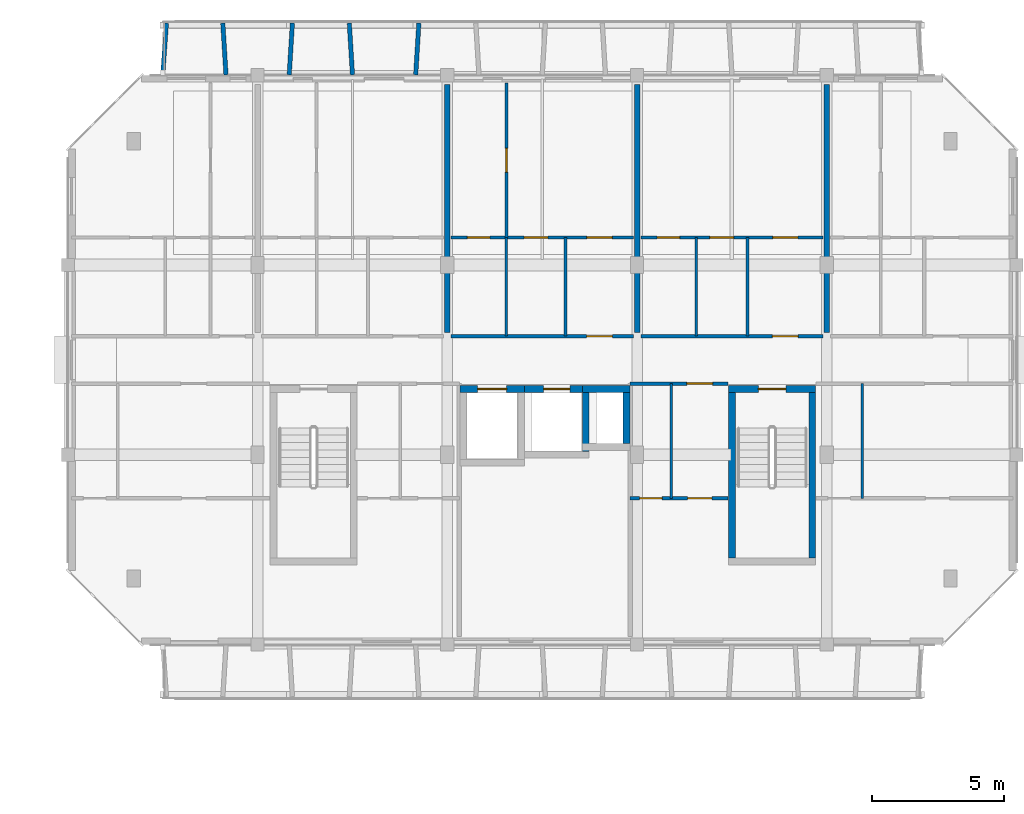
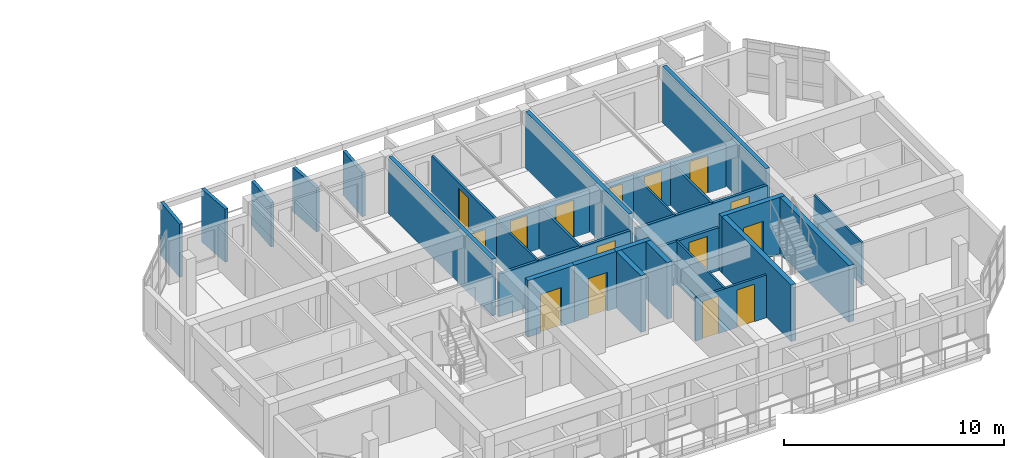
# One storey, part 29 of 46: 29 walls, 15 doors, 15 openings.
"""IFC4 building model written with IfcOpenShell, lengths in metres."""

import ifcopenshell
import ifcopenshell.guid

model = None  # the IFC model being written
_history = None  # IfcOwnerHistory: only IFC2X3 demands one
_inside = {}  # id of a spatial element -> (the spatial element, [elements in it])
_under = {}  # id of a project, library or spatial element -> (it, [spatial elements below it])
_declared = {}  # id of a project -> (the project, [libraries it declares])
_typed = {}  # id of a type object -> (the type object, [elements of that type])
_made_of = {}  # id of a material, layer set ... -> (it, [elements and type objects made of it])


def new_model(schema):
    """Start an empty IFC model of exactly this schema.

    Asked for "IFC4X3", IfcOpenShell would pick the latest addendum, in which some entities
    have other attributes; the version numbers below select the first issue.
    IFC2X3 requires an IfcOwnerHistory on every rooted entity: one is made here for all.
    """
    global model, _history
    if schema == "IFC4X3":
        model = ifcopenshell.file(schema_version=(4, 3, 0, 0))
    else:
        model = ifcopenshell.file(schema=schema)
    _inside.clear()
    _under.clear()
    _declared.clear()
    _typed.clear()
    _made_of.clear()
    _history = None
    if model.schema == "IFC2X3":
        org = make("IfcOrganization", Name="unknown")
        user = make(
            "IfcPersonAndOrganization",
            ThePerson=make("IfcPerson", FamilyName="unknown"),
            TheOrganization=org,
        )
        app = make(
            "IfcApplication",
            ApplicationDeveloper=org,
            Version="unknown",
            ApplicationFullName="unknown",
            ApplicationIdentifier="unknown",
        )
        _history = make(
            "IfcOwnerHistory",
            OwningUser=user,
            OwningApplication=app,
            ChangeAction="ADDED",
            CreationDate=0,
        )
    return model


def make(cls, **values):
    """One entity of the class cls with the attributes given. An attribute that is None is left unset."""
    return model.create_entity(
        cls, **{name: value for name, value in values.items() if value is not None}
    )


def rooted(cls, **values):
    """An entity with a GlobalId (a new one), such as an element, a storey or a relation."""
    return make(cls, GlobalId=ifcopenshell.guid.new(), OwnerHistory=_history, **values)


def si_unit(unit_type, name, prefix=None):
    """IfcSIUnit, for example si_unit("LENGTHUNIT", "METRE", prefix="MILLI")."""
    return make("IfcSIUnit", UnitType=unit_type, Prefix=prefix, Name=name)


def assignment(units):
    """IfcUnitAssignment: the units of a project."""
    return None if units is None else make("IfcUnitAssignment", Units=units)


def point(xyz):
    """IfcCartesianPoint."""
    return None if xyz is None else make("IfcCartesianPoint", Coordinates=xyz)


def direction(xyz):
    """IfcDirection."""
    return None if xyz is None else make("IfcDirection", DirectionRatios=xyz)


def frame(location, z_axis=None, x_axis=None):
    """IfcAxis2Placement3D, a coordinate frame: its origin and axes. An axis left out is left unset."""
    return make(
        "IfcAxis2Placement3D",
        Location=point(location),
        Axis=direction(z_axis),
        RefDirection=direction(x_axis),
    )


def frame_2d(location, x_axis=None):
    """IfcAxis2Placement2D, a coordinate frame in the plane: its origin and x axis."""
    return make(
        "IfcAxis2Placement2D", Location=point(location), RefDirection=direction(x_axis)
    )


def origin():
    """The frame at (0, 0, 0) with its axes left unset."""
    return frame((0.0, 0.0, 0.0))


def place(relative_to, where):
    """IfcLocalPlacement: puts the frame where relative to a parent placement (None: the world)."""
    return make(
        "IfcLocalPlacement", PlacementRelTo=relative_to, RelativePlacement=where
    )


def context(
    kind, dimensions, precision=None, world=None, true_north=None, identifier=None
):
    """IfcGeometricRepresentationContext, for example the 3D "Model" context."""
    return make(
        "IfcGeometricRepresentationContext",
        ContextIdentifier=identifier,
        ContextType=kind,
        CoordinateSpaceDimension=dimensions,
        Precision=precision,
        WorldCoordinateSystem=world,
        TrueNorth=true_north,
    )


def subcontext(parent, identifier, kind, view, scale=None):
    """IfcGeometricRepresentationSubContext, for example "Body" below "Model"."""
    return make(
        "IfcGeometricRepresentationSubContext",
        ContextIdentifier=identifier,
        ContextType=kind,
        ParentContext=parent,
        TargetScale=scale,
        TargetView=view,
    )


def project(units=None, contexts=None):
    """IfcProject with its units and contexts."""
    return rooted(
        "IfcProject",
        Name="project",
        RepresentationContexts=contexts,
        UnitsInContext=assignment(units),
    )


def spatial(cls, under=None, at=None, **own):
    """A site, building, storey or space (cls), placed at a placement, below another one or the project."""
    s = rooted(cls, ObjectPlacement=at, **own)
    if under is not None:
        _under.setdefault(under.id(), (under, []))[1].append(s)
    return s


def profile(cls, at=None, kind="AREA", **sizes):
    """A parametric profile (cls). Its sizes go by their IFC names, for example OverallWidth=200.0."""
    return make(cls, ProfileType=kind, Position=at, **sizes)


def rectangle(**sizes):
    """IfcRectangleProfileDef."""
    return profile("IfcRectangleProfileDef", **sizes)


def extrude(swept, where, along, depth):
    """IfcExtrudedAreaSolid: the profile swept, set in the frame where, extruded along a direction by depth."""
    return make(
        "IfcExtrudedAreaSolid",
        SweptArea=swept,
        Position=where,
        ExtrudedDirection=direction(along),
        Depth=depth,
    )


def shape(context_of_items, identifier, shape_type, items):
    """IfcShapeRepresentation: the items that make up one representation, for example the "Body"."""
    return make(
        "IfcShapeRepresentation",
        ContextOfItems=context_of_items,
        RepresentationIdentifier=identifier,
        RepresentationType=shape_type,
        Items=items,
    )


def material(Name=None, Category=None):
    """IfcMaterial."""
    return make("IfcMaterial", Name=Name, Category=Category)


def layer(
    of_material, thickness, ventilated=None, Name=None, Category=None, Priority=None
):
    """IfcMaterialLayer: one layer of a wall or slab, of a material (None: an air gap)."""
    return make(
        "IfcMaterialLayer",
        Material=of_material,
        LayerThickness=thickness,
        IsVentilated=ventilated,
        Name=Name,
        Category=Category,
        Priority=Priority,
    )


def layer_set(layers, Name=None):
    """IfcMaterialLayerSet."""
    return make("IfcMaterialLayerSet", MaterialLayers=layers, LayerSetName=Name)


def made_of(thing, what):
    """Note that an element or type object is made of a material, layer set ...; save() writes the relation."""
    if what is not None:
        _made_of.setdefault(what.id(), (what, []))[1].append(thing)
    return thing


def type_object(cls, material=None, **own):
    """A type object (cls), such as IfcWallType, which elements share."""
    return made_of(rooted(cls, **own), material)


def element(
    cls,
    number,
    at=None,
    inside=None,
    cuts=None,
    type_object=None,
    material=None,
    context=None,
    identifier="Body",
    shape_type=None,
    held_by="IfcProductDefinitionShape",
    body=None,
    shapes=None,
    **own,
):
    """One element of the class cls, such as IfcWall. Its Tag is "e" and its number.

    at: its placement. inside: the storey or other place that contains it. cuts: it is an
    opening in that element (IfcRelVoidsElement). A single representation is given by context,
    identifier, shape_type and body (its items); several are given by shapes. held_by: the class
    of the entity that holds the representations. save() writes the other relations.
    """
    e = rooted(cls, Tag="e%d" % number, ObjectPlacement=at, **own)
    if body is not None:
        shapes = [shape(context, identifier, shape_type, body)]
    if shapes is not None:
        e.Representation = make(held_by, Representations=shapes)
    if inside is not None:
        _inside.setdefault(inside.id(), (inside, []))[1].append(e)
    if cuts is not None:
        rooted(
            "IfcRelVoidsElement", RelatingBuildingElement=cuts, RelatedOpeningElement=e
        )
    if type_object is not None:
        _typed.setdefault(type_object.id(), (type_object, []))[1].append(e)
    return made_of(e, material)


def fill(opening, filler):
    """IfcRelFillsElement: the door or window that sits in an opening."""
    return rooted(
        "IfcRelFillsElement",
        RelatingOpeningElement=opening,
        RelatedBuildingElement=filler,
    )


def aggregate(whole, parts):
    """IfcRelAggregates: a whole, such as a stair, and the parts it consists of."""
    return rooted("IfcRelAggregates", RelatingObject=whole, RelatedObjects=parts)


def save(model, path):
    """Write the relations noted so far, then the file.

    IfcRelAggregates (storeys below a building ...), IfcRelContainedInSpatialStructure (elements
    in a storey), IfcRelDefinesByType, IfcRelAssociatesMaterial and IfcRelDeclares: one each for
    every whole, place, type object, material and project.
    """
    for whole, parts in _under.values():
        aggregate(whole, parts)
    for where, things in _inside.values():
        rooted(
            "IfcRelContainedInSpatialStructure",
            RelatedElements=things,
            RelatingStructure=where,
        )
    for kind, things in _typed.values():
        rooted("IfcRelDefinesByType", RelatedObjects=things, RelatingType=kind)
    for what, things in _made_of.values():
        rooted("IfcRelAssociatesMaterial", RelatedObjects=things, RelatingMaterial=what)
    for by, libraries in _declared.values():
        rooted("IfcRelDeclares", RelatingContext=by, RelatedDefinitions=libraries)
    model.write(path)


model = new_model("IFC4")

# Units and contexts
model_context = context("Model", 3, precision=1e-05, world=origin(), true_north=direction((0.0, 1.0)))
body_context = subcontext(model_context, "Body", "Model", "MODEL_VIEW")
ifc_project = project(units=[si_unit("LENGTHUNIT", "METRE"), si_unit("AREAUNIT", "SQUARE_METRE"), si_unit("VOLUMEUNIT", "CUBIC_METRE"), si_unit("PLANEANGLEUNIT", "RADIAN"), si_unit("MASSUNIT", "GRAM", prefix="KILO")], contexts=[model_context])

# Site, building, storey
site_placement = place(None, origin())
site = spatial("IfcSite", under=ifc_project, at=site_placement, CompositionType="ELEMENT")
building_placement = place(site_placement, origin())
building = spatial("IfcBuilding", under=site, at=building_placement, Name="Ochrevale Crest", CompositionType="ELEMENT")
storey_placement = place(building_placement, frame((0.0, 0.0, 24.449951171875)))
storey = spatial("IfcBuildingStorey", under=building, at=storey_placement, Name="L07", CompositionType="ELEMENT", Elevation=24.449951171875)

# Wall, opening, door
ifc_material_1 = material(Name="Gypsum plasterboard", Category="gypsum")
ifc_layer_1 = layer(ifc_material_1, 0.139892578125)
ifc_layer_set_1 = layer_set([ifc_layer_1], Name="Gypsum plasterboard")
wall_type_1 = type_object("IfcWallType", Name="WL-COR-140", PredefinedType="PARTITIONING", material=ifc_layer_set_1)
wall_1_placement = place(storey_placement, frame((144.139892578125, 83.699951171875, 0.0), z_axis=(0.0, 0.0, 1.0), x_axis=(1.0, 0.0, 0.0)))
wall_1 = element("IfcWall", 1, at=wall_1_placement, inside=storey, type_object=wall_type_1, Name="Apartment D-L07-U3 corridor wall", PredefinedType="PARTITIONING", context=body_context, shape_type="SweptSolid", body=[
    extrude(rectangle(XDim=6.920166015625, YDim=0.139892578125, at=frame_2d((3.4599609375, 0.0))), origin(), (0.0, 0.0, 1.0), 2.380126953125),
])
opening_1_placement = place(wall_1_placement, frame((6.125, 0.0, 0.0), z_axis=(0.0, 0.0, 1.0), x_axis=(-1.0, 0.0, 0.0)))
opening_1 = element("IfcOpeningElement", 2, at=opening_1_placement, cuts=wall_1, Name="Opening FD01", PredefinedType="OPENING", context=body_context, shape_type="SweptSolid", body=[
    extrude(rectangle(XDim=0.97998046875, YDim=2.10009765625, at=frame_2d((0.489990234375, 1.050048828125))), frame((0.0, 0.080078125, 0.0), z_axis=(0.0, -1.0, 0.0), x_axis=(1.0, 0.0, 0.0)), (0.0, 0.0, 1.0), 0.159912109375),
])
ifc_material_2 = material(Name="Solid-core FSC hardwood", Category="wood")
door_type_1 = type_object("IfcDoorType", Name="DR-APT-950", OperationType="NOTDEFINED", PredefinedType="DOOR", material=ifc_material_2)
door_1_placement = place(opening_1_placement, origin())
door_1 = element("IfcDoor", 3, at=door_1_placement, inside=storey, type_object=door_type_1, Name="Apartment D-L07-U3 entrance door", OperationType="SINGLE_SWING_RIGHT", OverallHeight=2.10009765625, OverallWidth=0.97998046875, PredefinedType="DOOR", context=body_context, shape_type="SweptSolid", body=[
    extrude(rectangle(XDim=0.97998046875, YDim=2.10009765625, at=frame_2d((0.489990234375, 1.050048828125))), frame((0.0, 0.02490234375, 0.0), z_axis=(0.0, -1.0, 0.0), x_axis=(1.0, 0.0, 0.0)), (0.0, 0.0, 1.0), 0.050048828125),
])
fill(opening_1, door_1)

wall_2_placement = place(storey_placement, frame((151.340087890625, 83.699951171875, 0.0), z_axis=(0.0, 0.0, 1.0), x_axis=(1.0, 0.0, 0.0)))
wall_2 = element("IfcWall", 4, at=wall_2_placement, inside=storey, type_object=wall_type_1, Name="Apartment D-L07-U4 corridor wall", PredefinedType="PARTITIONING", context=body_context, shape_type="SweptSolid", body=[
    extrude(rectangle(XDim=6.919921875, YDim=0.139892578125, at=frame_2d((3.4599609375, 0.0))), origin(), (0.0, 0.0, 1.0), 2.380126953125),
])
opening_2_placement = place(wall_2_placement, frame((4.9951171875, 0.0, 0.0)))
opening_2 = element("IfcOpeningElement", 5, at=opening_2_placement, cuts=wall_2, Name="Opening FD01", PredefinedType="OPENING", context=body_context, shape_type="SweptSolid", body=[
    extrude(rectangle(XDim=0.97998046875, YDim=2.10009765625, at=frame_2d((0.489990234375, 1.050048828125))), frame((0.0, 0.080078125, 0.0), z_axis=(0.0, -1.0, 0.0), x_axis=(1.0, 0.0, 0.0)), (0.0, 0.0, 1.0), 0.159912109375),
])
door_2_placement = place(opening_2_placement, origin())
door_2 = element("IfcDoor", 6, at=door_2_placement, inside=storey, type_object=door_type_1, Name="Apartment D-L07-U4 entrance door", OperationType="SINGLE_SWING_LEFT", OverallHeight=2.10009765625, OverallWidth=0.97998046875, PredefinedType="DOOR", context=body_context, shape_type="SweptSolid", body=[
    extrude(rectangle(XDim=0.97998046875, YDim=2.10009765625, at=frame_2d((0.489990234375, 1.050048828125))), frame((0.0, 0.02490234375, 0.0), z_axis=(0.0, -1.0, 0.0), x_axis=(1.0, 0.0, 0.0)), (0.0, 0.0, 1.0), 0.050048828125),
])
fill(opening_2, door_2)

wall_3_placement = place(storey_placement, frame((150.93994140625, 81.89990234375, 0.0), z_axis=(0.0, 0.0, 1.0), x_axis=(1.0, 0.0, 0.0)))
wall_3 = element("IfcWall", 7, at=wall_3_placement, inside=storey, type_object=wall_type_1, Name="Suite D-L07-ME corridor wall", PredefinedType="PARTITIONING", context=body_context, shape_type="SweptSolid", body=[
    extrude(rectangle(XDim=3.719970703125, YDim=0.139892578125, at=frame_2d((1.85986328125, 0.0))), origin(), (0.0, 0.0, 1.0), 2.380126953125),
])
opening_3_placement = place(wall_3_placement, frame((3.131103515625, 0.0, 0.0), z_axis=(0.0, 0.0, 1.0), x_axis=(-1.0, 0.0, 0.0)))
opening_3 = element("IfcOpeningElement", 8, at=opening_3_placement, cuts=wall_3, Name="Opening FD01", PredefinedType="OPENING", context=body_context, shape_type="SweptSolid", body=[
    extrude(rectangle(XDim=0.97998046875, YDim=2.10009765625, at=frame_2d((0.489990234375, 1.050048828125))), frame((0.0, 0.080078125, 0.0), z_axis=(0.0, -1.0, 0.0), x_axis=(1.0, 0.0, 0.0)), (0.0, 0.0, 1.0), 0.159912109375),
])
door_3_placement = place(opening_3_placement, origin())
door_3 = element("IfcDoor", 9, at=door_3_placement, inside=storey, type_object=door_type_1, Name="Suite D-L07-ME entrance door", OperationType="SINGLE_SWING_RIGHT", OverallHeight=2.10009765625, OverallWidth=0.97998046875, PredefinedType="DOOR", context=body_context, shape_type="SweptSolid", body=[
    extrude(rectangle(XDim=0.97998046875, YDim=2.10009765625, at=frame_2d((0.489990234375, 1.050048828125))), frame((0.0, 0.02490234375, 0.0), z_axis=(0.0, -1.0, 0.0), x_axis=(1.0, 0.0, 0.0)), (0.0, 0.0, 1.0), 0.050048828125),
])
fill(opening_3, door_3)

ifc_material_3 = material(Name="Precast concrete C50/60", Category="concrete")
ifc_layer_2 = layer(ifc_material_3, 0.2548828125)
ifc_layer_set_2 = layer_set([ifc_layer_2], Name="Precast concrete C50/60")
wall_type_2 = type_object("IfcWallType", Name="WL-CORE-255", PredefinedType="SHEAR", material=ifc_layer_set_2)
wall_4_placement = place(storey_placement, frame((154.672607421875, 81.699951171875, 0.0), z_axis=(0.0, 0.0, 1.0), x_axis=(1.0, 0.0, 0.0)))
wall_4 = element("IfcWall", 10, at=wall_4_placement, inside=storey, type_object=wall_type_2, Name="Block D L07 Stair 2 precast core shear wall N", PredefinedType="SHEAR", context=body_context, shape_type="SweptSolid", body=[
    extrude(rectangle(XDim=3.304931640625, YDim=0.2548828125, at=frame_2d((1.65234375, 0.0))), origin(), (0.0, 0.0, 1.0), 3.150146484375),
])
opening_4_placement = place(wall_4_placement, frame((1.12744140625, 0.0, 0.0)))
opening_4 = element("IfcOpeningElement", 11, at=opening_4_placement, cuts=wall_4, Name="Opening FD03", PredefinedType="OPENING", context=body_context, shape_type="SweptSolid", body=[
    extrude(rectangle(XDim=1.050048828125, YDim=2.1201171875, at=frame_2d((0.52490234375, 1.06005859375))), frame((0.0, 0.137451171875, 0.0), z_axis=(0.0, -1.0, 0.0), x_axis=(1.0, 0.0, 0.0)), (0.0, 0.0, 1.0), 0.27490234375),
])
door_type_2 = type_object("IfcDoorType", Name="DR-ST-1050", OperationType="NOTDEFINED", PredefinedType="DOOR", material=ifc_material_2)
door_4_placement = place(opening_4_placement, origin())
door_4 = element("IfcDoor", 12, at=door_4_placement, inside=storey, type_object=door_type_2, Name="Block D L07 fire stair 2 door", OperationType="SINGLE_SWING_LEFT", OverallHeight=2.1201171875, OverallWidth=1.050048828125, PredefinedType="DOOR", context=body_context, shape_type="SweptSolid", body=[
    extrude(rectangle(XDim=1.050048828125, YDim=2.1201171875, at=frame_2d((0.52490234375, 1.06005859375))), frame((0.0, 0.02490234375, 0.0), z_axis=(0.0, -1.0, 0.0), x_axis=(1.0, 0.0, 0.0)), (0.0, 0.0, 1.0), 0.050048828125),
])
fill(opening_4, door_4)

# Walls
for number, where, z_axis, x_axis, name in (
    (13, (154.800048828125, 75.277587890625, 0.0), (0.0, 0.0, 1.0), (0.0, 1.0, 0.0), "Block D L07 Stair 2 precast core shear wall W"),
    (14, (157.85009765625, 75.277587890625, 0.0), (0.0, 0.0, 1.0), (0.0, 1.0, 0.0), "Block D L07 Stair 2 precast core shear wall E"),
):
    element("IfcWall", number, at=place(storey_placement, frame(where, z_axis=z_axis, x_axis=x_axis)), inside=storey, type_object=wall_type_2, Name=name, PredefinedType="SHEAR", context=body_context, shape_type="SweptSolid", body=[
        extrude(rectangle(XDim=6.294921875, YDim=0.2548828125, at=frame_2d((3.1474609375, 0.0))), origin(), (0.0, 0.0, 1.0), 3.150146484375),
    ])

# Wall, opening, door
wall_5_placement = place(storey_placement, frame((144.472412109375, 81.699951171875, 0.0), z_axis=(0.0, 0.0, 1.0), x_axis=(1.0, 0.0, 0.0)))
wall_5 = element("IfcWall", 15, at=wall_5_placement, inside=storey, type_object=wall_type_2, Name="Block D L07 Lift 1 precast shaft shear wall N", PredefinedType="SHEAR", context=body_context, shape_type="SweptSolid", body=[
    extrude(rectangle(XDim=2.455078125, YDim=0.2548828125, at=frame_2d((1.2275390625, 0.0))), origin(), (0.0, 0.0, 1.0), 3.150146484375),
])
opening_5_placement = place(wall_5_placement, frame((0.677490234375, 0.0, 0.0)))
opening_5 = element("IfcOpeningElement", 16, at=opening_5_placement, cuts=wall_5, Name="Opening LD01", PredefinedType="OPENING", context=body_context, shape_type="SweptSolid", body=[
    extrude(rectangle(XDim=1.10009765625, YDim=2.14990234375, at=frame_2d((0.550048828125, 1.074951171875))), frame((0.0, 0.137451171875, 0.0), z_axis=(0.0, -1.0, 0.0), x_axis=(1.0, 0.0, 0.0)), (0.0, 0.0, 1.0), 0.27490234375),
])
door_type_3 = type_object("IfcDoorType", Name="DR-LIFT-1100", OperationType="NOTDEFINED", PredefinedType="DOOR", material=ifc_material_2)
door_5_placement = place(opening_5_placement, origin())
door_5 = element("IfcDoor", 17, at=door_5_placement, inside=storey, type_object=door_type_3, Name="Lift LF-D1 L07 sliding landing door", OperationType="SLIDING_TO_LEFT", OverallHeight=2.14990234375, OverallWidth=1.10009765625, PredefinedType="DOOR", context=body_context, shape_type="SweptSolid", body=[
    extrude(rectangle(XDim=1.10009765625, YDim=2.14990234375, at=frame_2d((0.550048828125, 1.074951171875))), frame((0.0, 0.02490234375, 0.0), z_axis=(0.0, -1.0, 0.0), x_axis=(1.0, 0.0, 0.0)), (0.0, 0.0, 1.0), 0.050048828125),
])
fill(opening_5, door_5)

wall_6_placement = place(storey_placement, frame((146.922607421875, 81.699951171875, 0.0), z_axis=(0.0, 0.0, 1.0), x_axis=(1.0, 0.0, 0.0)))
wall_6 = element("IfcWall", 18, at=wall_6_placement, inside=storey, type_object=wall_type_2, Name="Block D L07 Lift 2 precast shaft shear wall N", PredefinedType="SHEAR", context=body_context, shape_type="SweptSolid", body=[
    extrude(rectangle(XDim=2.454833984375, YDim=0.2548828125, at=frame_2d((1.2275390625, 0.0))), origin(), (0.0, 0.0, 1.0), 3.150146484375),
])
opening_6_placement = place(wall_6_placement, frame((0.7275390625, 0.0, 0.0)))
opening_6 = element("IfcOpeningElement", 19, at=opening_6_placement, cuts=wall_6, Name="Opening LD02", PredefinedType="OPENING", context=body_context, shape_type="SweptSolid", body=[
    extrude(rectangle(XDim=1.0, YDim=2.14990234375, at=frame_2d((0.5, 1.074951171875))), frame((0.0, 0.137451171875, 0.0), z_axis=(0.0, -1.0, 0.0), x_axis=(1.0, 0.0, 0.0)), (0.0, 0.0, 1.0), 0.27490234375),
])
door_type_4 = type_object("IfcDoorType", Name="DR-LIFT-1000", OperationType="NOTDEFINED", PredefinedType="DOOR", material=ifc_material_2)
door_6_placement = place(opening_6_placement, origin())
door_6 = element("IfcDoor", 20, at=door_6_placement, inside=storey, type_object=door_type_4, Name="Lift LP-D2 L07 sliding landing door", OperationType="SLIDING_TO_RIGHT", OverallHeight=2.14990234375, OverallWidth=1.0, PredefinedType="DOOR", context=body_context, shape_type="SweptSolid", body=[
    extrude(rectangle(XDim=1.0, YDim=2.14990234375, at=frame_2d((0.5, 1.074951171875))), frame((0.0, 0.02490234375, 0.0), z_axis=(0.0, -1.0, 0.0), x_axis=(1.0, 0.0, 0.0)), (0.0, 0.0, 1.0), 0.050048828125),
])
fill(opening_6, door_6)

# Walls
wall_7_placement = place(storey_placement, frame((149.25, 79.327392578125, 0.0), z_axis=(0.0, 0.0, 1.0), x_axis=(0.0, 1.0, 0.0)))
element("IfcWall", 21, at=wall_7_placement, inside=storey, type_object=wall_type_2, Name="Block D L07 Lift 2 precast shaft shear wall E", PredefinedType="SHEAR", context=body_context, shape_type="SweptSolid", body=[
    extrude(rectangle(XDim=2.2451171875, YDim=0.2548828125, at=frame_2d((1.12255859375, 0.0))), origin(), (0.0, 0.0, 1.0), 3.150146484375),
])
wall_8_placement = place(storey_placement, frame((149.12255859375, 81.699951171875, 0.0), z_axis=(0.0, 0.0, 1.0), x_axis=(1.0, 0.0, 0.0)))
element("IfcWall", 22, at=wall_8_placement, inside=storey, type_object=wall_type_2, Name="Block D L07 services riser shaft core wall N", PredefinedType="SHEAR", context=body_context, shape_type="SweptSolid", body=[
    extrude(rectangle(XDim=1.804931640625, YDim=0.2548828125, at=frame_2d((0.90234375, 0.0))), origin(), (0.0, 0.0, 1.0), 3.150146484375),
])
wall_9_placement = place(storey_placement, frame((150.800048828125, 79.62744140625, 0.0), z_axis=(0.0, 0.0, 1.0), x_axis=(0.0, 1.0, 0.0)))
element("IfcWall", 23, at=wall_9_placement, inside=storey, type_object=wall_type_2, Name="Block D L07 services riser shaft core wall E", PredefinedType="SHEAR", context=body_context, shape_type="SweptSolid", body=[
    extrude(rectangle(XDim=1.945068359375, YDim=0.2548828125, at=frame_2d((0.97265625, 0.0))), origin(), (0.0, 0.0, 1.0), 3.150146484375),
])
ifc_material_4 = material(Name="Precast concrete C40/50", Category="concrete")
ifc_layer_3 = layer(ifc_material_4, 0.1650390625)
ifc_layer_set_3 = layer_set([ifc_layer_3], Name="Precast concrete C40/50")
wall_type_3 = type_object("IfcWallType", Name="WL-HC-CHEEK-165", PredefinedType="ELEMENTEDWALL", material=ifc_layer_set_3)
wall_10_placement = place(storey_placement, frame((133.199951171875, 93.6201171875, 0.0), z_axis=(0.0, 0.0, 1.0), x_axis=(0.071317687608, 0.997453651772, 0.0)))
element("IfcWall", 24, at=wall_10_placement, inside=storey, type_object=wall_type_3, Name="Block D L07 N precast honeycomb cheek 1", PredefinedType="ELEMENTEDWALL", context=body_context, shape_type="SweptSolid", body=[
    extrude(rectangle(XDim=1.96484375, YDim=0.1650390625, at=frame_2d((0.982421875, 0.0))), origin(), (0.0, 0.0, 1.0), 2.949951171875),
])
wall_11_placement = place(storey_placement, frame((135.60009765625, 93.6201171875, 0.0), z_axis=(0.0, 0.0, 1.0), x_axis=(-0.061170732449, 0.998127317276, 0.0)))
element("IfcWall", 25, at=wall_11_placement, inside=storey, type_object=wall_type_3, Name="Block D L07 N precast honeycomb cheek 2", PredefinedType="ELEMENTEDWALL", context=body_context, shape_type="SweptSolid", body=[
    extrude(rectangle(XDim=1.963623046875, YDim=0.1650390625, at=frame_2d((0.98193359375, 0.0))), origin(), (0.0, 0.0, 1.0), 2.949951171875),
])
for number, where, z_axis, x_axis, name in (
    (26, (138.0, 93.6201171875, 0.0), (0.0, 0.0, 1.0), (0.061170732449, 0.998127317276, 0.0), "Block D L07 N precast honeycomb cheek 3"),
    (27, (140.39990234375, 93.6201171875, 0.0), (0.0, 0.0, 1.0), (-0.061046865508, 0.998134900808, 0.0), "Block D L07 N precast honeycomb cheek 4"),
    (28, (142.800048828125, 93.6201171875, 0.0), (0.0, 0.0, 1.0), (0.061046865508, 0.998134900808, 0.0), "Block D L07 N precast honeycomb cheek 5"),
):
    element("IfcWall", number, at=place(storey_placement, frame(where, z_axis=z_axis, x_axis=x_axis)), inside=storey, type_object=wall_type_3, Name=name, PredefinedType="ELEMENTEDWALL", context=body_context, shape_type="SweptSolid", body=[
        extrude(rectangle(XDim=1.963623046875, YDim=0.1650390625, at=frame_2d((0.98193359375, 0.0))), origin(), (0.0, 0.0, 1.0), 2.449951171875),
    ])
ifc_layer_4 = layer(ifc_material_1, 0.1201171875)
ifc_layer_set_4 = layer_set([ifc_layer_4], Name="Gypsum plasterboard")
wall_type_4 = type_object("IfcWallType", Name="WL-PART-120", PredefinedType="PARTITIONING", material=ifc_layer_set_4)
wall_12_placement = place(storey_placement, frame((148.489990234375, 83.699951171875, 0.0), z_axis=(0.0, 0.0, 1.0), x_axis=(0.0, 1.0, 0.0)))
element("IfcWall", 29, at=wall_12_placement, inside=storey, type_object=wall_type_4, Name="Apartment D-L07-U3 kitchen-foyer wall", PredefinedType="PARTITIONING", context=body_context, shape_type="SweptSolid", body=[
    extrude(rectangle(XDim=3.75, YDim=0.1201171875, at=frame_2d((1.875, 0.0))), origin(), (0.0, 0.0, 1.0), 2.380126953125),
])

# Wall, openings, doors
wall_13_placement = place(storey_placement, frame((144.139892578125, 87.449951171875, 0.0), z_axis=(0.0, 0.0, 1.0), x_axis=(1.0, 0.0, 0.0)))
wall_13 = element("IfcWall", 30, at=wall_13_placement, inside=storey, type_object=wall_type_4, Name="Apartment D-L07-U3 central partition", PredefinedType="PARTITIONING", context=body_context, shape_type="SweptSolid", body=[
    extrude(rectangle(XDim=6.920166015625, YDim=0.1201171875, at=frame_2d((3.4599609375, 0.0))), origin(), (0.0, 0.0, 1.0), 2.380126953125),
])
opening_7_placement = place(wall_13_placement, frame((0.625, 0.0, 0.0)))
opening_7 = element("IfcOpeningElement", 31, at=opening_7_placement, cuts=wall_13, Name="Opening ID01", PredefinedType="OPENING", context=body_context, shape_type="SweptSolid", body=[
    extrude(rectangle(XDim=0.85009765625, YDim=2.080078125, at=frame_2d((0.425048828125, 1.0400390625))), frame((0.0, 0.070068359375, 0.0), z_axis=(0.0, -1.0, 0.0), x_axis=(1.0, 0.0, 0.0)), (0.0, 0.0, 1.0), 0.14013671875),
])
opening_8_placement = place(wall_13_placement, frame((3.6748046875, 0.0, 0.0), z_axis=(0.0, 0.0, 1.0), x_axis=(-1.0, 0.0, 0.0)))
opening_8 = element("IfcOpeningElement", 32, at=opening_8_placement, cuts=wall_13, Name="Opening ID02", PredefinedType="OPENING", context=body_context, shape_type="SweptSolid", body=[
    extrude(rectangle(XDim=0.89990234375, YDim=2.080078125, at=frame_2d((0.449951171875, 1.0400390625))), frame((0.0, 0.070068359375, 0.0), z_axis=(0.0, -1.0, 0.0), x_axis=(1.0, 0.0, 0.0)), (0.0, 0.0, 1.0), 0.14013671875),
])
opening_9_placement = place(wall_13_placement, frame((5.159912109375, 0.0, 0.0)))
opening_9 = element("IfcOpeningElement", 33, at=opening_9_placement, cuts=wall_13, Name="Opening ID06", PredefinedType="OPENING", context=body_context, shape_type="SweptSolid", body=[
    extrude(rectangle(XDim=0.949951171875, YDim=2.080078125, at=frame_2d((0.47509765625, 1.0400390625))), frame((0.0, 0.070068359375, 0.0), z_axis=(0.0, -1.0, 0.0), x_axis=(1.0, 0.0, 0.0)), (0.0, 0.0, 1.0), 0.14013671875),
])
door_type_5 = type_object("IfcDoorType", Name="DR-INT-900", OperationType="NOTDEFINED", PredefinedType="DOOR", material=ifc_material_2)
door_7_placement = place(opening_8_placement, origin())
door_7 = element("IfcDoor", 34, at=door_7_placement, inside=storey, type_object=door_type_5, Name="Apartment D-L07-U3 Kitchen door", OperationType="SINGLE_SWING_RIGHT", OverallHeight=2.080078125, OverallWidth=0.89990234375, PredefinedType="DOOR", context=body_context, shape_type="SweptSolid", body=[
    extrude(rectangle(XDim=0.89990234375, YDim=2.080078125, at=frame_2d((0.449951171875, 1.0400390625))), frame((0.0, 0.02490234375, 0.0), z_axis=(0.0, -1.0, 0.0), x_axis=(1.0, 0.0, 0.0)), (0.0, 0.0, 1.0), 0.050048828125),
])
fill(opening_8, door_7)
door_type_6 = type_object("IfcDoorType", Name="DR-INT-950", OperationType="NOTDEFINED", PredefinedType="DOOR", material=ifc_material_2)
door_8_placement = place(opening_9_placement, origin())
door_8 = element("IfcDoor", 35, at=door_8_placement, inside=storey, type_object=door_type_6, Name="Apartment D-L07-U3 Living Foyer door", OperationType="SINGLE_SWING_LEFT", OverallHeight=2.080078125, OverallWidth=0.949951171875, PredefinedType="DOOR", context=body_context, shape_type="SweptSolid", body=[
    extrude(rectangle(XDim=0.949951171875, YDim=2.080078125, at=frame_2d((0.47509765625, 1.0400390625))), frame((0.0, 0.02490234375, 0.0), z_axis=(0.0, -1.0, 0.0), x_axis=(1.0, 0.0, 0.0)), (0.0, 0.0, 1.0), 0.050048828125),
])
fill(opening_9, door_8)
door_type_7 = type_object("IfcDoorType", Name="DR-WC-850", OperationType="NOTDEFINED", PredefinedType="DOOR", material=ifc_material_2)
door_9_placement = place(opening_7_placement, origin())
door_9 = element("IfcDoor", 36, at=door_9_placement, inside=storey, type_object=door_type_7, Name="Apartment D-L07-U3 Bathroom door", OperationType="SINGLE_SWING_LEFT", OverallHeight=2.080078125, OverallWidth=0.85009765625, PredefinedType="DOOR", context=body_context, shape_type="SweptSolid", body=[
    extrude(rectangle(XDim=0.85009765625, YDim=2.080078125, at=frame_2d((0.425048828125, 1.0400390625))), frame((0.0, 0.02490234375, 0.0), z_axis=(0.0, -1.0, 0.0), x_axis=(1.0, 0.0, 0.0)), (0.0, 0.0, 1.0), 0.050048828125),
])
fill(opening_7, door_9)

# Wall, opening, door
wall_14_placement = place(storey_placement, frame((146.239990234375, 87.449951171875, 0.0), z_axis=(0.0, 0.0, 1.0), x_axis=(0.0, 1.0, 0.0)))
wall_14 = element("IfcWall", 37, at=wall_14_placement, inside=storey, type_object=wall_type_4, Name="Apartment D-L07-U3 bedroom partition", PredefinedType="PARTITIONING", context=body_context, shape_type="SweptSolid", body=[
    extrude(rectangle(XDim=5.85009765625, YDim=0.1201171875, at=frame_2d((2.925048828125, 0.0))), origin(), (0.0, 0.0, 1.0), 2.380126953125),
])
opening_10_placement = place(wall_14_placement, frame((3.375, 0.0, 0.0), z_axis=(0.0, 0.0, 1.0), x_axis=(-1.0, 0.0, 0.0)))
opening_10 = element("IfcOpeningElement", 38, at=opening_10_placement, cuts=wall_14, Name="Opening ID02", PredefinedType="OPENING", context=body_context, shape_type="SweptSolid", body=[
    extrude(rectangle(XDim=0.89990234375, YDim=2.080078125, at=frame_2d((0.449951171875, 1.0400390625))), frame((0.0, 0.070068359375, 0.0), z_axis=(0.0, -1.0, 0.0), x_axis=(1.0, 0.0, 0.0)), (0.0, 0.0, 1.0), 0.14013671875),
])
door_10_placement = place(opening_10_placement, origin())
door_10 = element("IfcDoor", 39, at=door_10_placement, inside=storey, type_object=door_type_5, Name="Apartment D-L07-U3 Twin Bedroom door", OperationType="SINGLE_SWING_RIGHT", OverallHeight=2.080078125, OverallWidth=0.89990234375, PredefinedType="DOOR", context=body_context, shape_type="SweptSolid", body=[
    extrude(rectangle(XDim=0.89990234375, YDim=2.080078125, at=frame_2d((0.449951171875, 1.0400390625))), frame((0.0, 0.02490234375, 0.0), z_axis=(0.0, -1.0, 0.0), x_axis=(1.0, 0.0, 0.0)), (0.0, 0.0, 1.0), 0.050048828125),
])
fill(opening_10, door_10)

# Wall
wall_15_placement = place(storey_placement, frame((155.389892578125, 83.699951171875, 0.0), z_axis=(0.0, 0.0, 1.0), x_axis=(0.0, 1.0, 0.0)))
element("IfcWall", 40, at=wall_15_placement, inside=storey, type_object=wall_type_4, Name="Apartment D-L07-U4 kitchen-foyer wall", PredefinedType="PARTITIONING", context=body_context, shape_type="SweptSolid", body=[
    extrude(rectangle(XDim=3.75, YDim=0.1201171875, at=frame_2d((1.875, 0.0))), origin(), (0.0, 0.0, 1.0), 2.380126953125),
])

# Wall, openings, doors
wall_16_placement = place(storey_placement, frame((151.340087890625, 87.449951171875, 0.0), z_axis=(0.0, 0.0, 1.0), x_axis=(1.0, 0.0, 0.0)))
wall_16 = element("IfcWall", 41, at=wall_16_placement, inside=storey, type_object=wall_type_4, Name="Apartment D-L07-U4 central partition", PredefinedType="PARTITIONING", context=body_context, shape_type="SweptSolid", body=[
    extrude(rectangle(XDim=6.919921875, YDim=0.1201171875, at=frame_2d((3.4599609375, 0.0))), origin(), (0.0, 0.0, 1.0), 2.380126953125),
])
opening_11_placement = place(wall_16_placement, frame((1.47509765625, 0.0, 0.0), z_axis=(0.0, 0.0, 1.0), x_axis=(-1.0, 0.0, 0.0)))
opening_11 = element("IfcOpeningElement", 42, at=opening_11_placement, cuts=wall_16, Name="Opening ID01", PredefinedType="OPENING", context=body_context, shape_type="SweptSolid", body=[
    extrude(rectangle(XDim=0.85009765625, YDim=2.080078125, at=frame_2d((0.425048828125, 1.0400390625))), frame((0.0, 0.070068359375, 0.0), z_axis=(0.0, -1.0, 0.0), x_axis=(1.0, 0.0, 0.0)), (0.0, 0.0, 1.0), 0.14013671875),
])
opening_12_placement = place(wall_16_placement, frame((2.625, 0.0, 0.0)))
opening_12 = element("IfcOpeningElement", 43, at=opening_12_placement, cuts=wall_16, Name="Opening ID02", PredefinedType="OPENING", context=body_context, shape_type="SweptSolid", body=[
    extrude(rectangle(XDim=0.89990234375, YDim=2.080078125, at=frame_2d((0.449951171875, 1.0400390625))), frame((0.0, 0.070068359375, 0.0), z_axis=(0.0, -1.0, 0.0), x_axis=(1.0, 0.0, 0.0)), (0.0, 0.0, 1.0), 0.14013671875),
])
opening_13_placement = place(wall_16_placement, frame((5.9599609375, 0.0, 0.0), z_axis=(0.0, 0.0, 1.0), x_axis=(-1.0, 0.0, 0.0)))
opening_13 = element("IfcOpeningElement", 44, at=opening_13_placement, cuts=wall_16, Name="Opening ID06", PredefinedType="OPENING", context=body_context, shape_type="SweptSolid", body=[
    extrude(rectangle(XDim=0.949951171875, YDim=2.080078125, at=frame_2d((0.47509765625, 1.0400390625))), frame((0.0, 0.070068359375, 0.0), z_axis=(0.0, -1.0, 0.0), x_axis=(1.0, 0.0, 0.0)), (0.0, 0.0, 1.0), 0.14013671875),
])
door_11_placement = place(opening_12_placement, origin())
door_11 = element("IfcDoor", 45, at=door_11_placement, inside=storey, type_object=door_type_5, Name="Apartment D-L07-U4 Kitchen door", OperationType="SINGLE_SWING_LEFT", OverallHeight=2.080078125, OverallWidth=0.89990234375, PredefinedType="DOOR", context=body_context, shape_type="SweptSolid", body=[
    extrude(rectangle(XDim=0.89990234375, YDim=2.080078125, at=frame_2d((0.449951171875, 1.0400390625))), frame((0.0, 0.02490234375, 0.0), z_axis=(0.0, -1.0, 0.0), x_axis=(1.0, 0.0, 0.0)), (0.0, 0.0, 1.0), 0.050048828125),
])
fill(opening_12, door_11)
door_12_placement = place(opening_13_placement, origin())
door_12 = element("IfcDoor", 46, at=door_12_placement, inside=storey, type_object=door_type_6, Name="Apartment D-L07-U4 Living Foyer door", OperationType="SINGLE_SWING_RIGHT", OverallHeight=2.080078125, OverallWidth=0.949951171875, PredefinedType="DOOR", context=body_context, shape_type="SweptSolid", body=[
    extrude(rectangle(XDim=0.949951171875, YDim=2.080078125, at=frame_2d((0.47509765625, 1.0400390625))), frame((0.0, 0.02490234375, 0.0), z_axis=(0.0, -1.0, 0.0), x_axis=(1.0, 0.0, 0.0)), (0.0, 0.0, 1.0), 0.050048828125),
])
fill(opening_13, door_12)
door_13_placement = place(opening_11_placement, origin())
door_13 = element("IfcDoor", 47, at=door_13_placement, inside=storey, type_object=door_type_7, Name="Apartment D-L07-U4 Bathroom door", OperationType="SINGLE_SWING_RIGHT", OverallHeight=2.080078125, OverallWidth=0.85009765625, PredefinedType="DOOR", context=body_context, shape_type="SweptSolid", body=[
    extrude(rectangle(XDim=0.85009765625, YDim=2.080078125, at=frame_2d((0.425048828125, 1.0400390625))), frame((0.0, 0.02490234375, 0.0), z_axis=(0.0, -1.0, 0.0), x_axis=(1.0, 0.0, 0.0)), (0.0, 0.0, 1.0), 0.050048828125),
])
fill(opening_11, door_13)

wall_17_placement = place(storey_placement, frame((150.93994140625, 77.550048828125, 0.0), z_axis=(0.0, 0.0, 1.0), x_axis=(1.0, 0.0, 0.0)))
wall_17 = element("IfcWall", 48, at=wall_17_placement, inside=storey, type_object=wall_type_4, Name="Suite D-L07-ME internal wall", PredefinedType="PARTITIONING", context=body_context, shape_type="SweptSolid", body=[
    extrude(rectangle(XDim=3.719970703125, YDim=0.1201171875, at=frame_2d((1.85986328125, 0.0))), origin(), (0.0, 0.0, 1.0), 2.380126953125),
])
opening_14_placement = place(wall_17_placement, frame((0.356201171875, 0.0, 0.0)))
opening_14 = element("IfcOpeningElement", 49, at=opening_14_placement, cuts=wall_17, Name="Opening ID01", PredefinedType="OPENING", context=body_context, shape_type="SweptSolid", body=[
    extrude(rectangle(XDim=0.85009765625, YDim=2.080078125, at=frame_2d((0.425048828125, 1.0400390625))), frame((0.0, 0.070068359375, 0.0), z_axis=(0.0, -1.0, 0.0), x_axis=(1.0, 0.0, 0.0)), (0.0, 0.0, 1.0), 0.14013671875),
])
opening_15_placement = place(wall_17_placement, frame((3.10107421875, 0.0, 0.0), z_axis=(0.0, 0.0, 1.0), x_axis=(-1.0, 0.0, 0.0)))
opening_15 = element("IfcOpeningElement", 50, at=opening_15_placement, cuts=wall_17, Name="Opening ID04", PredefinedType="OPENING", context=body_context, shape_type="SweptSolid", body=[
    extrude(rectangle(XDim=0.919921875, YDim=2.080078125, at=frame_2d((0.4599609375, 1.0400390625))), frame((0.0, 0.070068359375, 0.0), z_axis=(0.0, -1.0, 0.0), x_axis=(1.0, 0.0, 0.0)), (0.0, 0.0, 1.0), 0.14013671875),
])
door_type_8 = type_object("IfcDoorType", Name="DR-INT-920", OperationType="NOTDEFINED", PredefinedType="DOOR", material=ifc_material_2)
door_14_placement = place(opening_15_placement, origin())
door_14 = element("IfcDoor", 51, at=door_14_placement, inside=storey, type_object=door_type_8, Name="Suite D-L07-ME Garden Alcove Studio door", OperationType="SINGLE_SWING_RIGHT", OverallHeight=2.080078125, OverallWidth=0.919921875, PredefinedType="DOOR", context=body_context, shape_type="SweptSolid", body=[
    extrude(rectangle(XDim=0.919921875, YDim=2.080078125, at=frame_2d((0.4599609375, 1.0400390625))), frame((0.0, 0.02490234375, 0.0), z_axis=(0.0, -1.0, 0.0), x_axis=(1.0, 0.0, 0.0)), (0.0, 0.0, 1.0), 0.050048828125),
])
fill(opening_15, door_14)
door_15_placement = place(opening_14_placement, origin())
door_15 = element("IfcDoor", 52, at=door_15_placement, inside=storey, type_object=door_type_7, Name="Suite D-L07-ME Bathroom door", OperationType="SINGLE_SWING_LEFT", OverallHeight=2.080078125, OverallWidth=0.85009765625, PredefinedType="DOOR", context=body_context, shape_type="SweptSolid", body=[
    extrude(rectangle(XDim=0.85009765625, YDim=2.080078125, at=frame_2d((0.425048828125, 1.0400390625))), frame((0.0, 0.02490234375, 0.0), z_axis=(0.0, -1.0, 0.0), x_axis=(1.0, 0.0, 0.0)), (0.0, 0.0, 1.0), 0.050048828125),
])
fill(opening_14, door_15)

# Walls
ifc_layer_5 = layer(ifc_material_4, 0.2099609375)
ifc_layer_set_5 = layer_set([ifc_layer_5], Name="Precast concrete C40/50")
wall_type_5 = type_object("IfcWallType", Name="WL-SHEAR-210", PredefinedType="SHEAR", material=ifc_layer_set_5)
for number, where, z_axis, x_axis, name in (
    (53, (144.0, 83.85009765625, 0.0), (0.0, 0.0, 1.0), (0.0, 1.0, 0.0), "Block D L07 load-bearing precast cross-wall X=144.0"),
    (54, (151.199951171875, 83.85009765625, 0.0), (0.0, 0.0, 1.0), (0.0, 1.0, 0.0), "Block D L07 load-bearing precast cross-wall X=151.2"),
    (55, (158.39990234375, 83.85009765625, 0.0), (0.0, 0.0, 1.0), (0.0, 1.0, 0.0), "Block D L07 load-bearing precast cross-wall X=158.4"),
):
    element("IfcWall", number, at=place(storey_placement, frame(where, z_axis=z_axis, x_axis=x_axis)), inside=storey, type_object=wall_type_5, Name=name, PredefinedType="SHEAR", context=body_context, shape_type="SweptSolid", body=[
        extrude(rectangle(XDim=9.39990234375, YDim=0.2099609375, at=frame_2d((4.699951171875, 0.0))), origin(), (0.0, 0.0, 1.0), 3.150146484375),
    ])
ifc_layer_6 = layer(ifc_material_1, 0.10009765625)
ifc_layer_set_6 = layer_set([ifc_layer_6], Name="Gypsum plasterboard")
wall_type_6 = type_object("IfcWallType", Name="WL-WET-100", PredefinedType="PARTITIONING", material=ifc_layer_set_6)
for number, where, z_axis, x_axis, name in (
    (56, (146.239990234375, 83.699951171875, 0.0), (0.0, 0.0, 1.0), (0.0, 1.0, 0.0), "Apartment D-L07-U3 bath-kitchen wall"),
    (57, (153.43994140625, 83.699951171875, 0.0), (0.0, 0.0, 1.0), (0.0, 1.0, 0.0), "Apartment D-L07-U4 bath-kitchen wall"),
):
    element("IfcWall", number, at=place(storey_placement, frame(where, z_axis=z_axis, x_axis=x_axis)), inside=storey, type_object=wall_type_6, Name=name, PredefinedType="PARTITIONING", context=body_context, shape_type="SweptSolid", body=[
        extrude(rectangle(XDim=3.75, YDim=0.10009765625, at=frame_2d((1.875, 0.0))), origin(), (0.0, 0.0, 1.0), 2.380126953125),
    ])
for number, where, z_axis, x_axis, name in (
    (58, (152.50244140625, 77.550048828125, 0.0), (0.0, 0.0, 1.0), (0.0, 1.0, 0.0), "Suite D-L07-ME bathroom divider"),
    (59, (159.739990234375, 77.550048828125, 0.0), (0.0, 0.0, 1.0), (0.0, 1.0, 0.0), "Suite D-L07-CE bathroom divider"),
):
    element("IfcWall", number, at=place(storey_placement, frame(where, z_axis=z_axis, x_axis=x_axis)), inside=storey, type_object=wall_type_6, Name=name, PredefinedType="PARTITIONING", context=body_context, shape_type="SweptSolid", body=[
        extrude(rectangle(XDim=4.349853515625, YDim=0.10009765625, at=frame_2d((2.1748046875, 0.0))), origin(), (0.0, 0.0, 1.0), 2.380126953125),
    ])

save(model, "model.ifc")
